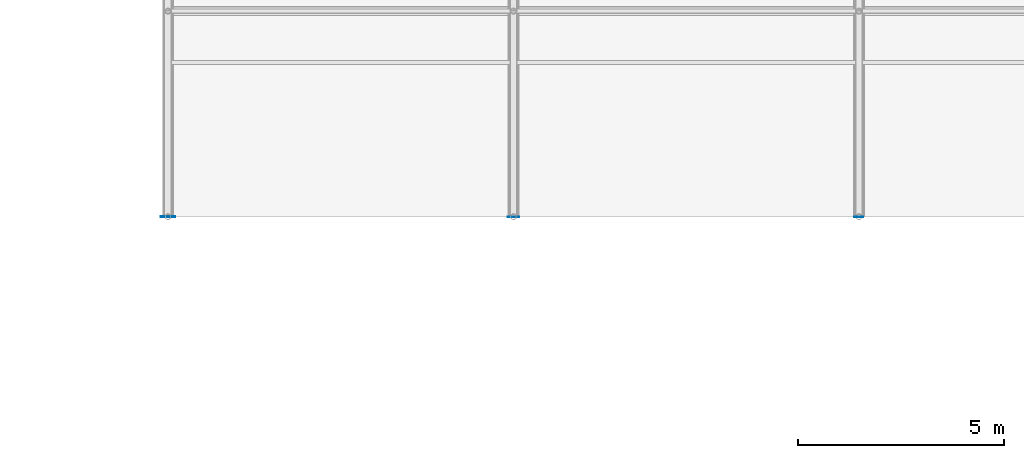
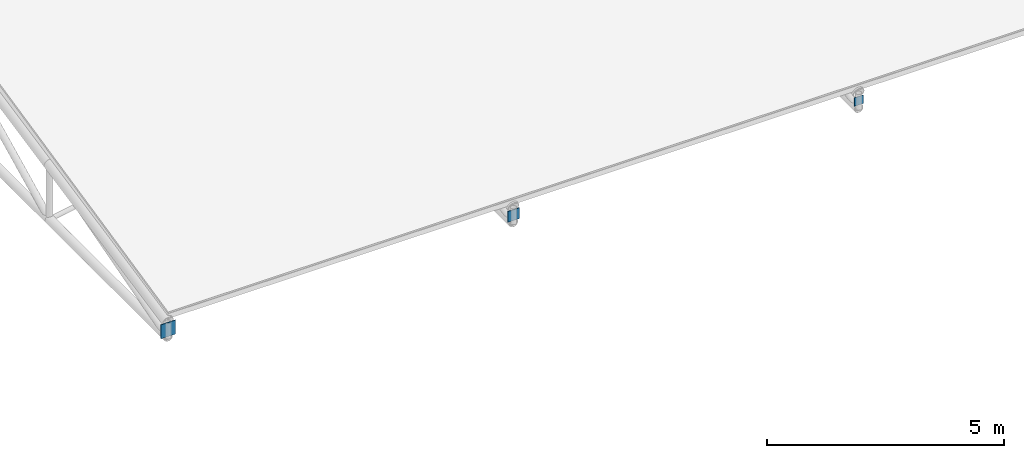
# One storey, part 165 of 194: 3 plates.
"""IFC4 building model written with IfcOpenShell, lengths in metres."""

from ifc_helpers import new_model, si_unit, direction, frame, origin, origin_2d, place, context, subcontext, project, spatial, rectangle, extrude, material, layer, layer_set, type_object, element, save


model = new_model("IFC4")

# Units and contexts
model_context = context("Model", 3, precision=1e-05, world=origin(), true_north=direction((0.0, 1.0)))
body_context = subcontext(model_context, "Body", "Model", "MODEL_VIEW")
ifc_project = project(units=[si_unit("LENGTHUNIT", "METRE"), si_unit("AREAUNIT", "SQUARE_METRE"), si_unit("VOLUMEUNIT", "CUBIC_METRE"), si_unit("PLANEANGLEUNIT", "RADIAN"), si_unit("MASSUNIT", "GRAM", prefix="KILO")], contexts=[model_context])

# Site, building, storey
site_placement = place(None, origin())
site = spatial("IfcSite", under=ifc_project, at=site_placement, CompositionType="ELEMENT")
building_placement = place(site_placement, origin())
building = spatial("IfcBuilding", under=site, at=building_placement, Name="Kazenagashi Tramway Depot", CompositionType="ELEMENT")
storey_placement = place(building_placement, frame((0.0, 0.0, 23.7)))
storey = spatial("IfcBuildingStorey", under=building, at=storey_placement, Name="ROOF", CompositionType="ELEMENT", Elevation=23.7)

# Plates
ifc_material = material(Name="Steel STK490", Category="steel")
ifc_layer_1 = layer(ifc_material, 0.016)
ifc_layer_set_1 = layer_set([ifc_layer_1], Name="Steel STK490")
plate_type_1 = type_object("IfcPlateType", Name="EC-01", PredefinedType="USERDEFINED", material=ifc_layer_set_1)
plate_1_placement = place(storey_placement, frame((44.8, 70.0, -14.08), z_axis=(0.0, 0.0, 1.0), x_axis=(1.0, 0.0, 0.0)))
element("IfcPlate", 1, at=plate_1_placement, inside=storey, type_object=plate_type_1, Name="Structural Node Plate EC-01 PLT-0003", ObjectType="END CAP PLATE", PredefinedType="USERDEFINED", context=body_context, shape_type="SweptSolid", body=[
    extrude(rectangle(XDim=0.36, YDim=0.016, at=origin_2d()), origin(), (0.0, 0.0, 1.0), 0.36),
])
ifc_layer_2 = layer(ifc_material, 0.014)
ifc_layer_set_2 = layer_set([ifc_layer_2], Name="Steel STK490")
plate_type_2 = type_object("IfcPlateType", Name="EC-02", PredefinedType="USERDEFINED", material=ifc_layer_set_2)
plate_2_placement = place(storey_placement, frame((53.2, 70.0, -14.04), z_axis=(0.0, 0.0, 1.0), x_axis=(1.0, 0.0, 0.0)))
element("IfcPlate", 2, at=plate_2_placement, inside=storey, type_object=plate_type_2, Name="Structural Node Plate EC-02 PLT-0007", ObjectType="END CAP PLATE", PredefinedType="USERDEFINED", context=body_context, shape_type="SweptSolid", body=[
    extrude(rectangle(XDim=0.28, YDim=0.014, at=origin_2d()), origin(), (0.0, 0.0, 1.0), 0.28),
])
ifc_layer_3 = layer(ifc_material, 0.012)
ifc_layer_set_3 = layer_set([ifc_layer_3], Name="Steel STK490")
plate_type_3 = type_object("IfcPlateType", Name="EC-03", PredefinedType="USERDEFINED", material=ifc_layer_set_3)
plate_3_placement = place(storey_placement, frame((61.6, 70.0, -14.01), z_axis=(0.0, 0.0, 1.0), x_axis=(1.0, 0.0, 0.0)))
element("IfcPlate", 3, at=plate_3_placement, inside=storey, type_object=plate_type_3, Name="Structural Node Plate EC-03 PLT-0011", ObjectType="END CAP PLATE", PredefinedType="USERDEFINED", context=body_context, shape_type="SweptSolid", body=[
    extrude(rectangle(XDim=0.22, YDim=0.012, at=origin_2d()), origin(), (0.0, 0.0, 1.0), 0.22),
])

save(model, "model.ifc")
